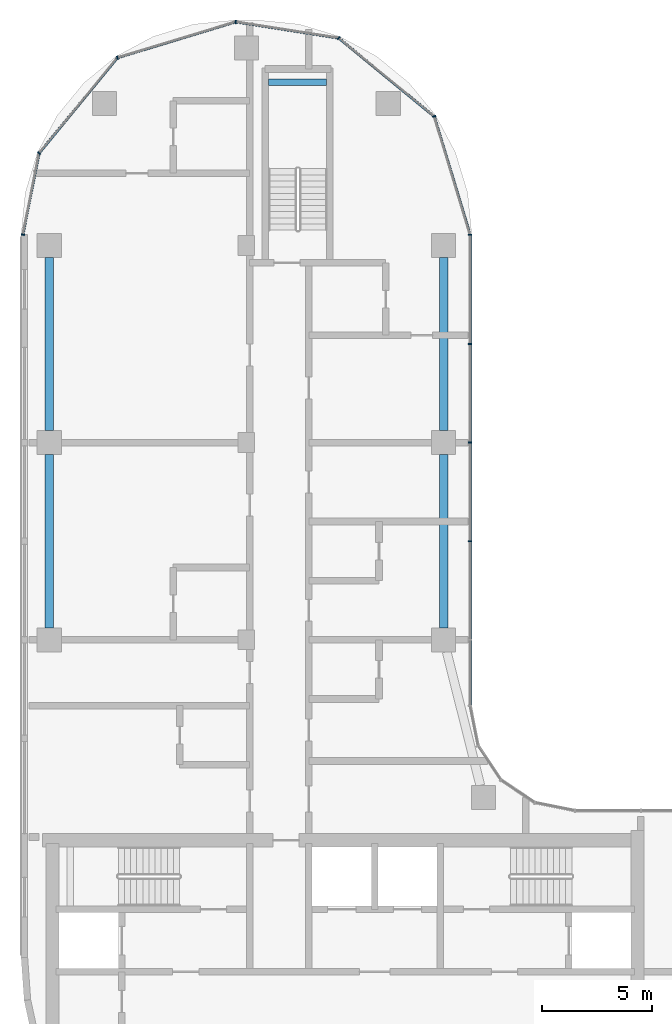
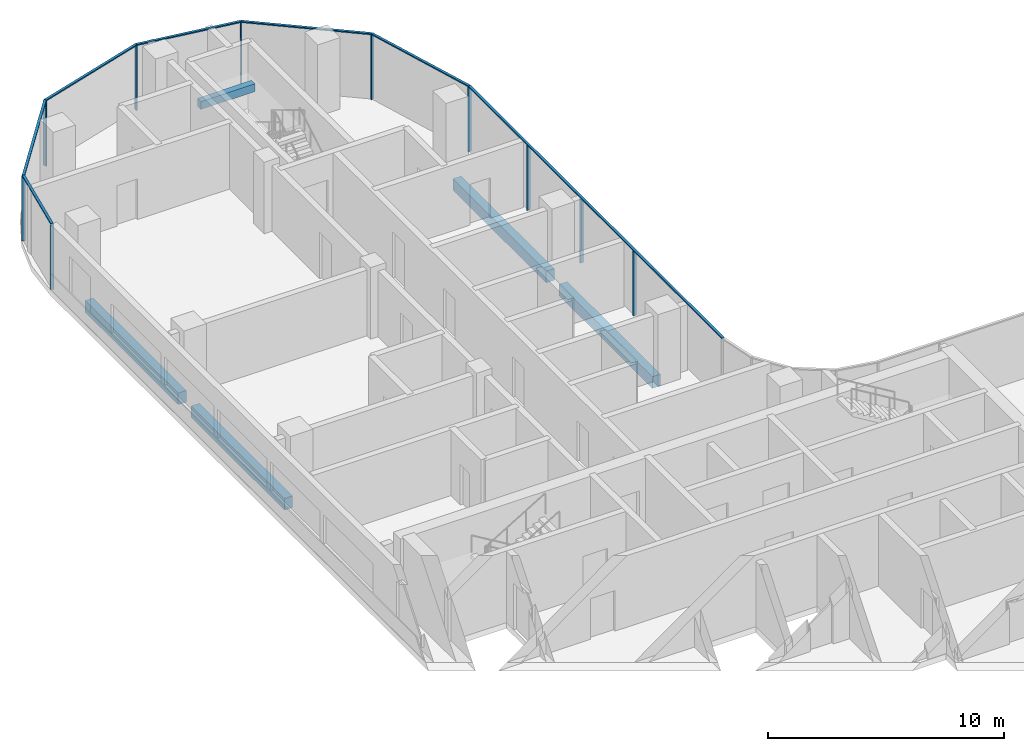
# One storey, part 5 of 23: 17 members, 5 beams, 2 elements without a shape of their own.
"""IFC4 building model written with IfcOpenShell, lengths in metres."""

from ifc_helpers import new_model, si_unit, direction, frame, origin, origin_2d, place, context, subcontext, project, spatial, rectangle, extrude, material, material_profile, profile_set, type_object, element, aggregate, save


model = new_model("IFC4")

# Units and contexts
model_context = context("Model", 3, precision=1e-05, world=origin(), true_north=direction((0.0, 1.0)))
body_context = subcontext(model_context, "Body", "Model", "MODEL_VIEW")
ifc_project = project(units=[si_unit("LENGTHUNIT", "METRE"), si_unit("AREAUNIT", "SQUARE_METRE"), si_unit("VOLUMEUNIT", "CUBIC_METRE"), si_unit("PLANEANGLEUNIT", "RADIAN"), si_unit("MASSUNIT", "GRAM", prefix="KILO")], contexts=[model_context])

# Site, building, storey
site_placement = place(None, origin())
site = spatial("IfcSite", under=ifc_project, at=site_placement, CompositionType="ELEMENT")
building_placement = place(site_placement, origin())
building = spatial("IfcBuilding", under=site, at=building_placement, Name="Ogive Portal Towers", CompositionType="ELEMENT")
storey_placement = place(building_placement, frame((0.0, 0.0, 168.10009765625)))
storey = spatial("IfcBuildingStorey", under=building, at=storey_placement, Name="L41", CompositionType="ELEMENT", Elevation=168.10009765625)

# Beam
ifc_material_1 = material(Name="Concrete C40/50", Category="concrete")
ifc_material_profile_1 = material_profile(ifc_material_1, rectangle(XDim=0.300048828125, YDim=0.39990234375, at=origin_2d()), Name="RC 300x400")
ifc_profile_set_1 = profile_set([ifc_material_profile_1], Name="Concrete C40/50")
beam_type_1 = type_object("IfcBeamType", Name="BEAM RC 300x400", PredefinedType="BEAM", material=ifc_profile_set_1)
beam_placement = place(storey_placement, frame((41.5, 73.949951171875, 1.449951171875), z_axis=(1.0, 0.0, 0.0), x_axis=(0.0, 1.0, 0.0)))
element("IfcBeam", 1, at=beam_placement, inside=storey, type_object=beam_type_1, Name="Landing beam L41", PredefinedType="BEAM", context=body_context, shape_type="SweptSolid", body=[
    extrude(rectangle(XDim=0.300048828125, YDim=0.39990234375, at=origin_2d()), origin(), (0.0, 0.0, 1.0), 2.64990234375),
])

# Curtain wall, members
ifc_material_2 = material(Name="Glass, clear low-iron insulated glazing", Category="glass")
curtain_wall_type = type_object("IfcCurtainWallType", Name="CW FRONT RIBBON 4500", PredefinedType="NOTDEFINED", material=ifc_material_2)
curtain_wall_1_placement = place(storey_placement, origin())
curtain_wall_1 = element("IfcCurtainWall", 2, at=curtain_wall_1_placement, inside=storey, type_object=curtain_wall_type, Name="A:L41:f12:cw0", PredefinedType="NOTDEFINED")
ifc_material_3 = material(Name="Aluminium 6063 anodised", Category="aluminium")
ifc_material_profile_2 = material_profile(ifc_material_3, rectangle(XDim=0.159912109375, YDim=0.06005859375, at=origin_2d()), Name="AL 60x160")
ifc_profile_set_2 = profile_set([ifc_material_profile_2], Name="Aluminium 6063 anodised")
member_type_1 = type_object("IfcMemberType", Name="CW MULLION 60x160", PredefinedType="MULLION", material=ifc_profile_set_2)
member_1_placement = place(storey_placement, frame((50.705078125, 53.0, 0.0), z_axis=(0.0, 0.0, 1.0), x_axis=(-1.0, 0.0, 0.0)))
member_1 = element("IfcMember", 3, at=member_1_placement, type_object=member_type_1, Name="mullion", PredefinedType="MULLION", context=body_context, shape_type="SweptSolid", body=[
    extrude(rectangle(XDim=0.159912109375, YDim=0.06005859375, at=origin_2d()), origin(), (0.0, 0.0, 1.0), 3.33984375),
])
member_2_placement = place(storey_placement, frame((50.705078125, 57.5, 0.0), z_axis=(0.0, 0.0, 1.0), x_axis=(-1.0, 0.0, 0.0)))
member_2 = element("IfcMember", 4, at=member_2_placement, type_object=member_type_1, Name="mullion", PredefinedType="MULLION", context=body_context, shape_type="SweptSolid", body=[
    extrude(rectangle(XDim=0.159912109375, YDim=0.06005859375, at=origin_2d()), origin(), (0.0, 0.0, 1.0), 3.33984375),
])
member_3_placement = place(storey_placement, frame((50.705078125, 62.0, 0.0), z_axis=(0.0, 0.0, 1.0), x_axis=(-1.0, 0.0, 0.0)))
member_3 = element("IfcMember", 5, at=member_3_placement, type_object=member_type_1, Name="mullion", PredefinedType="MULLION", context=body_context, shape_type="SweptSolid", body=[
    extrude(rectangle(XDim=0.159912109375, YDim=0.06005859375, at=origin_2d()), origin(), (0.0, 0.0, 1.0), 3.33984375),
])
member_4_placement = place(storey_placement, frame((50.705078125, 66.988037109375, 0.0), z_axis=(0.0, 0.0, 1.0), x_axis=(-1.0, 0.0, 0.0)))
member_4 = element("IfcMember", 6, at=member_4_placement, type_object=member_type_1, Name="mullion", PredefinedType="MULLION", context=body_context, shape_type="SweptSolid", body=[
    extrude(rectangle(XDim=0.159912109375, YDim=0.06005859375, at=origin_2d()), origin(), (0.0, 0.0, 1.0), 3.33984375),
])

curtain_wall_2_placement = place(storey_placement, origin())
curtain_wall_2 = element("IfcCurtainWall", 7, at=curtain_wall_2_placement, inside=storey, type_object=curtain_wall_type, Name="A:L41:f13:cwa", PredefinedType="NOTDEFINED")
member_5_placement = place(storey_placement, frame((49.06640625, 72.389892578125, 0.0), z_axis=(0.0, 0.0, 1.0), x_axis=(-0.956940335732, -0.290284677254, 0.0)))
member_5 = element("IfcMember", 8, at=member_5_placement, type_object=member_type_1, Name="mullion", PredefinedType="MULLION", context=body_context, shape_type="SweptSolid", body=[
    extrude(rectangle(XDim=0.159912109375, YDim=0.06005859375, at=origin_2d()), origin(), (0.0, 0.0, 1.0), 3.33984375),
])
member_6_placement = place(storey_placement, frame((44.710693359375, 75.964599609375, 0.0), z_axis=(0.0, 0.0, 1.0), x_axis=(-0.634393284164, -0.773010453363, 0.0)))
member_6 = element("IfcMember", 9, at=member_6_placement, type_object=member_type_1, Name="mullion", PredefinedType="MULLION", context=body_context, shape_type="SweptSolid", body=[
    extrude(rectangle(XDim=0.159912109375, YDim=0.06005859375, at=origin_2d()), origin(), (0.0, 0.0, 1.0), 3.33984375),
])
member_7_placement = place(storey_placement, frame((40.005615234375, 76.703125, 0.0), z_axis=(0.0, 0.0, 1.0), x_axis=(-0.15508857602, -0.987900568675, 0.0)))
member_7 = element("IfcMember", 10, at=member_7_placement, type_object=member_type_1, Name="mullion", PredefinedType="MULLION", context=body_context, shape_type="SweptSolid", body=[
    extrude(rectangle(XDim=0.159912109375, YDim=0.06005859375, at=origin_2d()), origin(), (0.0, 0.0, 1.0), 3.33984375),
])
member_8_placement = place(storey_placement, frame((34.610107421875, 75.06640625, 0.0), z_axis=(0.0, 0.0, 1.0), x_axis=(0.290284677254, -0.956940335732, 0.0)))
member_8 = element("IfcMember", 11, at=member_8_placement, type_object=member_type_1, Name="mullion", PredefinedType="MULLION", context=body_context, shape_type="SweptSolid", body=[
    extrude(rectangle(XDim=0.159912109375, YDim=0.06005859375, at=origin_2d()), origin(), (0.0, 0.0, 1.0), 3.33984375),
])
member_9_placement = place(storey_placement, frame((31.034423828125, 70.709228515625, 0.0), z_axis=(0.0, 0.0, 1.0), x_axis=(0.773010453363, -0.634393284164, 0.0)))
member_9 = element("IfcMember", 12, at=member_9_placement, type_object=member_type_1, Name="mullion", PredefinedType="MULLION", context=body_context, shape_type="SweptSolid", body=[
    extrude(rectangle(XDim=0.159912109375, YDim=0.06005859375, at=origin_2d()), origin(), (0.0, 0.0, 1.0), 3.33984375),
])
member_10_placement = place(storey_placement, frame((30.294921875, 66.9921875, 0.0), z_axis=(0.0, 0.0, 1.0), x_axis=(0.980785280403, -0.195090322016, 0.0)))
member_10 = element("IfcMember", 13, at=member_10_placement, type_object=member_type_1, Name="mullion", PredefinedType="MULLION", context=body_context, shape_type="SweptSolid", body=[
    extrude(rectangle(XDim=0.159912109375, YDim=0.06005859375, at=origin_2d()), origin(), (0.0, 0.0, 1.0), 3.33984375),
])

# Member
ifc_material_profile_3 = material_profile(ifc_material_3, rectangle(XDim=0.1201171875, YDim=0.06005859375, at=origin_2d()), Name="AL 120x60")
ifc_profile_set_3 = profile_set([ifc_material_profile_3], Name="Aluminium 6063 anodised")
member_type_2 = type_object("IfcMemberType", Name="CW TRANSOM 60x120", PredefinedType="USERDEFINED", material=ifc_profile_set_3)
member_11_placement = place(storey_placement, frame((50.705078125, 45.4921875, 3.369873046875), z_axis=(0.0, 1.0, 0.0), x_axis=(-1.0, 0.0, 0.0)))
member_11 = element("IfcMember", 14, at=member_11_placement, type_object=member_type_2, Name="transom", ObjectType="TRANSOM", PredefinedType="USERDEFINED", context=body_context, shape_type="SweptSolid", body=[
    extrude(rectangle(XDim=0.1201171875, YDim=0.06005859375, at=origin_2d()), origin(), (0.0, 0.0, 1.0), 21.495849609375),
])

aggregate(curtain_wall_1, [member_11, member_1, member_2, member_3, member_4])

member_12_placement = place(storey_placement, frame((50.705078125, 66.988037109375, 3.369873046875), z_axis=(-0.290290668645, 0.956938518243, 0.0), x_axis=(-0.956938518243, -0.290290668645, 0.0)))
member_12 = element("IfcMember", 15, at=member_12_placement, type_object=member_type_2, Name="transom", ObjectType="TRANSOM", PredefinedType="USERDEFINED", context=body_context, shape_type="SweptSolid", body=[
    extrude(rectangle(XDim=0.1201171875, YDim=0.06005859375, at=origin_2d()), origin(), (0.0, 0.0, 1.0), 5.64501953125),
])

member_13_placement = place(storey_placement, frame((49.06640625, 72.389892578125, 3.369873046875), z_axis=(-0.773004723045, 0.634400266511, 0.0), x_axis=(-0.634400266511, -0.773004723045, 0.0)))
member_13 = element("IfcMember", 16, at=member_13_placement, type_object=member_type_2, Name="transom", ObjectType="TRANSOM", PredefinedType="USERDEFINED", context=body_context, shape_type="SweptSolid", body=[
    extrude(rectangle(XDim=0.1201171875, YDim=0.06005859375, at=origin_2d()), origin(), (0.0, 0.0, 1.0), 5.634765625),
])

member_14_placement = place(storey_placement, frame((44.710693359375, 75.964599609375, 3.369873046875), z_axis=(-0.987904287541, 0.155064885316, 0.0), x_axis=(-0.155064885316, -0.987904287541, 0.0)))
member_14 = element("IfcMember", 17, at=member_14_placement, type_object=member_type_2, Name="transom", ObjectType="TRANSOM", PredefinedType="USERDEFINED", context=body_context, shape_type="SweptSolid", body=[
    extrude(rectangle(XDim=0.1201171875, YDim=0.06005859375, at=origin_2d()), origin(), (0.0, 0.0, 1.0), 4.7626953125),
])

member_15_placement = place(storey_placement, frame((40.005615234375, 76.703125, 3.369873046875), z_axis=(-0.956939875143, -0.290286195609, 0.0), x_axis=(0.290286195609, -0.956939875143, 0.0)))
member_15 = element("IfcMember", 18, at=member_15_placement, type_object=member_type_2, Name="transom", ObjectType="TRANSOM", PredefinedType="USERDEFINED", context=body_context, shape_type="SweptSolid", body=[
    extrude(rectangle(XDim=0.1201171875, YDim=0.06005859375, at=origin_2d()), origin(), (0.0, 0.0, 1.0), 5.63818359375),
])

member_16_placement = place(storey_placement, frame((34.610107421875, 75.06640625, 3.369873046875), z_axis=(-0.634376347317, -0.773024352763, 0.0), x_axis=(0.773024352763, -0.634376347317, 0.0)))
member_16 = element("IfcMember", 19, at=member_16_placement, type_object=member_type_2, Name="transom", ObjectType="TRANSOM", PredefinedType="USERDEFINED", context=body_context, shape_type="SweptSolid", body=[
    extrude(rectangle(XDim=0.1201171875, YDim=0.06005859375, at=origin_2d()), origin(), (0.0, 0.0, 1.0), 5.636474609375),
])

member_17_placement = place(storey_placement, frame((31.034423828125, 70.709228515625, 3.369873046875), z_axis=(-0.195124974332, -0.980778386993, 0.0), x_axis=(0.980778386993, -0.195124974332, 0.0)))
member_17 = element("IfcMember", 20, at=member_17_placement, type_object=member_type_2, Name="transom", ObjectType="TRANSOM", PredefinedType="USERDEFINED", context=body_context, shape_type="SweptSolid", body=[
    extrude(rectangle(XDim=0.1201171875, YDim=0.06005859375, at=origin_2d()), origin(), (0.0, 0.0, 1.0), 3.789794921875),
])

aggregate(curtain_wall_2, [member_12, member_13, member_14, member_15, member_16, member_17, member_5, member_6, member_7, member_8, member_9, member_10])

# Beams
ifc_material_profile_4 = material_profile(ifc_material_1, rectangle(XDim=0.39990234375, YDim=0.60009765625, at=origin_2d()), Name="RC 400x600")
ifc_profile_set_4 = profile_set([ifc_material_profile_4], Name="Concrete C40/50")
beam_type_2 = type_object("IfcBeamType", Name="SPANDREL BEAM RC 400x600", PredefinedType="BEAM", material=ifc_profile_set_4)
for number, where, z_axis, x_axis, name in (
    (21, (31.5, 49.050048828125, -0.60009765625), (0.0, 1.0, 0.0), (-1.0, 0.0, 0.0), "Spandrel beam L41"),
    (22, (31.5, 58.050048828125, -0.60009765625), (0.0, 1.0, 0.0), (-1.0, 0.0, 0.0), "Spandrel beam L41"),
    (23, (49.5, 65.949951171875, -0.60009765625), (0.0, -1.0, 0.0), (1.0, 0.0, 0.0), "Spandrel beam L41"),
    (24, (49.5, 56.949951171875, -0.60009765625), (0.0, -1.0, 0.0), (1.0, 0.0, 0.0), "Spandrel beam L41"),
):
    element("IfcBeam", number, at=place(storey_placement, frame(where, z_axis=z_axis, x_axis=x_axis)), inside=storey, type_object=beam_type_2, Name=name, PredefinedType="BEAM", context=body_context, shape_type="SweptSolid", body=[
        extrude(rectangle(XDim=0.39990234375, YDim=0.60009765625, at=origin_2d()), origin(), (0.0, 0.0, 1.0), 7.89990234375),
    ])

save(model, "model.ifc")
